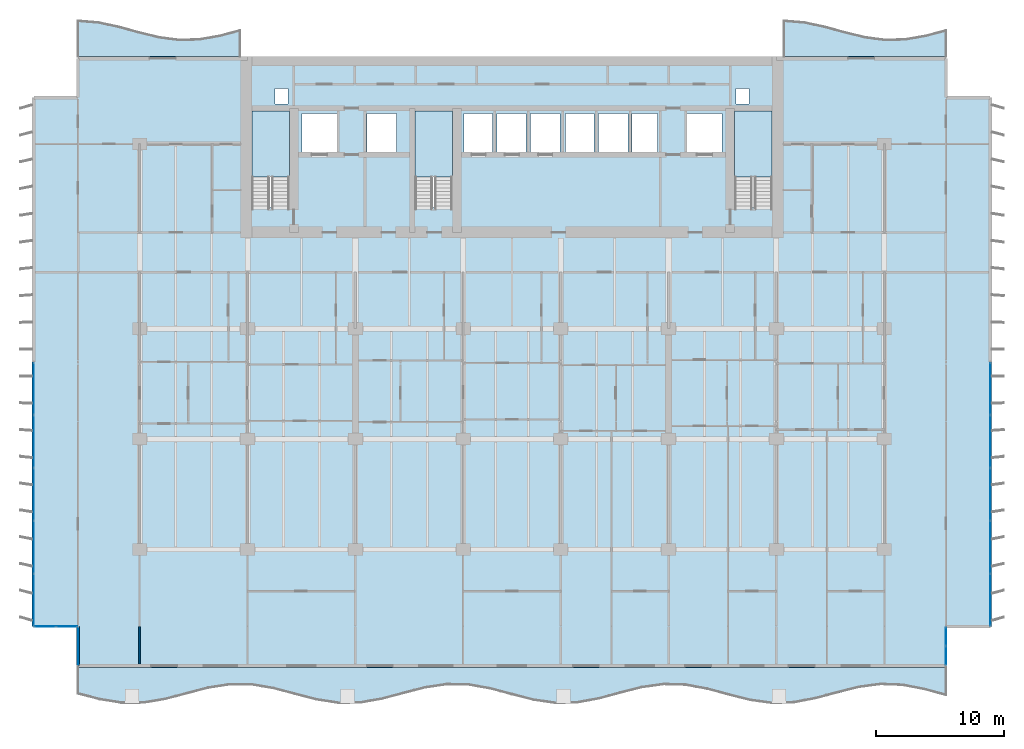
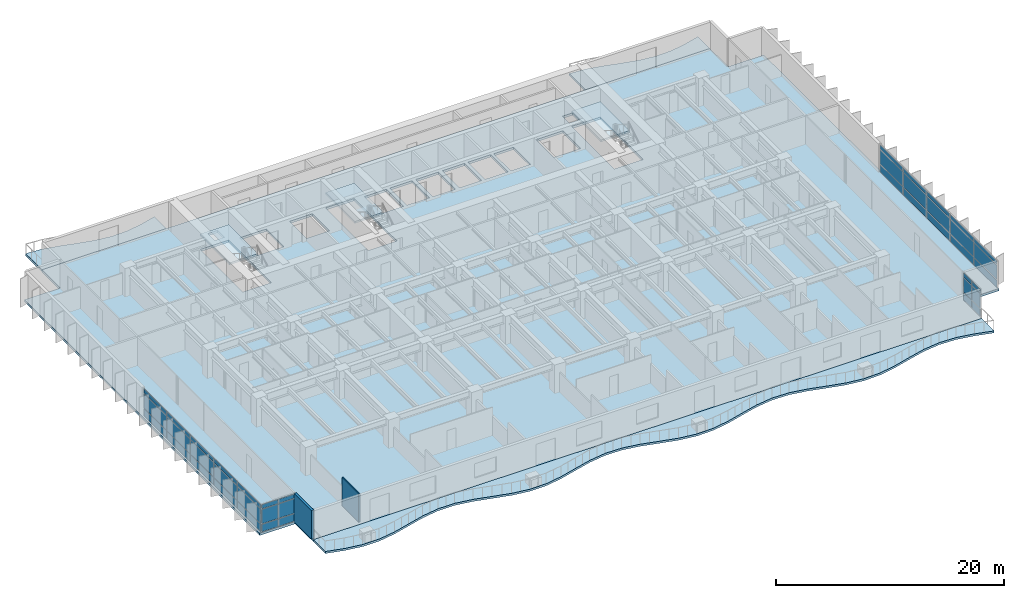
# One storey, part 5 of 17: 42 plates, 7 slabs, 2 walls, 7 elements without a shape of their own.
"""IFC4 building model written with IfcOpenShell, lengths in metres."""

from ifc_helpers import new_model, si_unit, direction, frame, frame_2d, origin, origin_2d, place, context, subcontext, project, spatial, polyline, rectangle, outline, extrude, material, layer, layer_set, type_object, element, aggregate, save


model = new_model("IFC4")

# Units and contexts
model_context = context("Model", 3, precision=1e-05, world=origin(), true_north=direction((0.0, 1.0)))
body_context = subcontext(model_context, "Body", "Model", "MODEL_VIEW")
ifc_project = project(units=[si_unit("LENGTHUNIT", "METRE"), si_unit("AREAUNIT", "SQUARE_METRE"), si_unit("VOLUMEUNIT", "CUBIC_METRE"), si_unit("PLANEANGLEUNIT", "RADIAN"), si_unit("MASSUNIT", "GRAM", prefix="KILO")], contexts=[model_context])

# Site, building, storey
site_placement = place(None, origin())
site = spatial("IfcSite", under=ifc_project, at=site_placement, CompositionType="ELEMENT")
building_placement = place(site_placement, origin())
building = spatial("IfcBuilding", under=site, at=building_placement, Name="Caelmar Bay Residences", CompositionType="ELEMENT")
storey_placement = place(building_placement, frame((0.0, 0.0, 63.0)))
storey = spatial("IfcBuildingStorey", under=building, at=storey_placement, Name="L16", CompositionType="ELEMENT", Elevation=63.0)

# Curtain wall, plates
ifc_material_1 = material(Name="Anodised bronze aluminium 6063-T6 and laminated glass", Category="aluminium")
ifc_layer_1 = layer(ifc_material_1, 0.179931640625)
ifc_layer_set_1 = layer_set([ifc_layer_1], Name="Anodised bronze aluminium 6063-T6 and laminated glass")
curtain_wall_type_1 = type_object("IfcCurtainWallType", Name="CW6-NTC", PredefinedType="NOTDEFINED", material=ifc_layer_set_1)
curtain_wall_1_placement = place(storey_placement, origin())
curtain_wall_1 = element("IfcCurtainWall", 1, at=curtain_wall_1_placement, inside=storey, type_object=curtain_wall_type_1, Name="CW6 curtain wall L16", PredefinedType="NOTDEFINED")
ifc_material_2 = material(Name="Bronze-tinted laminated low-E hurricane glass 28 mm", Category="glass")
ifc_layer_2 = layer(ifc_material_2, 0.028076171875)
ifc_layer_set_2 = layer_set([ifc_layer_2], Name="Bronze-tinted laminated low-E hurricane glass 28 mm")
plate_type = type_object("IfcPlateType", Name="CWP-GLZ28", PredefinedType="CURTAIN_PANEL", material=ifc_layer_set_2)
plate_1_placement = place(storey_placement, frame((2.532470703125, 6.199951171875, 0.080078125), z_axis=(0.0, 0.0, 1.0), x_axis=(1.0, 0.0, 0.0)))
plate_1 = element("IfcPlate", 2, at=plate_1_placement, type_object=plate_type, Name="CW6 panel 1.1", PredefinedType="CURTAIN_PANEL", context=body_context, shape_type="SweptSolid", body=[
    extrude(rectangle(XDim=1.60498046875, YDim=0.028076171875, at=origin_2d()), origin(), (0.0, 0.0, 1.0), 0.780029296875),
])
plate_2_placement = place(storey_placement, frame((2.532470703125, 6.199951171875, 0.93994140625), z_axis=(0.0, 0.0, 1.0), x_axis=(1.0, 0.0, 0.0)))
plate_2 = element("IfcPlate", 3, at=plate_2_placement, type_object=plate_type, Name="CW6 panel 1.2", PredefinedType="CURTAIN_PANEL", context=body_context, shape_type="SweptSolid", body=[
    extrude(rectangle(XDim=1.60498046875, YDim=0.028076171875, at=origin_2d()), origin(), (0.0, 0.0, 1.0), 1.52001953125),
])
plate_3_placement = place(storey_placement, frame((2.532470703125, 6.199951171875, 2.5400390625), z_axis=(0.0, 0.0, 1.0), x_axis=(1.0, 0.0, 0.0)))
plate_3 = element("IfcPlate", 4, at=plate_3_placement, type_object=plate_type, Name="CW6 panel 1.3", PredefinedType="CURTAIN_PANEL", context=body_context, shape_type="SweptSolid", body=[
    extrude(rectangle(XDim=1.60498046875, YDim=0.028076171875, at=origin_2d()), origin(), (0.0, 0.0, 1.0), 0.429931640625),
])
plate_4_placement = place(storey_placement, frame((4.217529296875, 6.199951171875, 0.080078125), z_axis=(0.0, 0.0, 1.0), x_axis=(1.0, 0.0, 0.0)))
plate_4 = element("IfcPlate", 5, at=plate_4_placement, type_object=plate_type, Name="CW6 panel 2.1", PredefinedType="CURTAIN_PANEL", context=body_context, shape_type="SweptSolid", body=[
    extrude(rectangle(XDim=1.60498046875, YDim=0.028076171875, at=origin_2d()), origin(), (0.0, 0.0, 1.0), 0.780029296875),
])
plate_5_placement = place(storey_placement, frame((4.217529296875, 6.199951171875, 0.93994140625), z_axis=(0.0, 0.0, 1.0), x_axis=(1.0, 0.0, 0.0)))
plate_5 = element("IfcPlate", 6, at=plate_5_placement, type_object=plate_type, Name="CW6 panel 2.2", PredefinedType="CURTAIN_PANEL", context=body_context, shape_type="SweptSolid", body=[
    extrude(rectangle(XDim=1.60498046875, YDim=0.028076171875, at=origin_2d()), origin(), (0.0, 0.0, 1.0), 1.52001953125),
])
plate_6_placement = place(storey_placement, frame((4.217529296875, 6.199951171875, 2.5400390625), z_axis=(0.0, 0.0, 1.0), x_axis=(1.0, 0.0, 0.0)))
plate_6 = element("IfcPlate", 7, at=plate_6_placement, type_object=plate_type, Name="CW6 panel 2.3", PredefinedType="CURTAIN_PANEL", context=body_context, shape_type="SweptSolid", body=[
    extrude(rectangle(XDim=1.60498046875, YDim=0.028076171875, at=origin_2d()), origin(), (0.0, 0.0, 1.0), 0.429931640625),
])
aggregate(curtain_wall_1, [plate_1, plate_2, plate_3, plate_4, plate_5, plate_6])

curtain_wall_2_placement = place(storey_placement, origin())
curtain_wall_2 = element("IfcCurtainWall", 8, at=curtain_wall_2_placement, inside=storey, type_object=curtain_wall_type_1, Name="CW6 curtain wall L16", PredefinedType="NOTDEFINED")
plate_7_placement = place(storey_placement, frame((72.699951171875, 3.9326171875, 0.080078125), z_axis=(0.0, 0.0, 1.0), x_axis=(0.0, 1.0, 0.0)))
plate_7 = element("IfcPlate", 9, at=plate_7_placement, type_object=plate_type, Name="CW6 panel 1.1", PredefinedType="CURTAIN_PANEL", context=body_context, shape_type="SweptSolid", body=[
    extrude(rectangle(XDim=1.405029296875, YDim=0.028076171875, at=origin_2d()), origin(), (0.0, 0.0, 1.0), 0.780029296875),
])
plate_8_placement = place(storey_placement, frame((72.699951171875, 3.9326171875, 0.93994140625), z_axis=(0.0, 0.0, 1.0), x_axis=(0.0, 1.0, 0.0)))
plate_8 = element("IfcPlate", 10, at=plate_8_placement, type_object=plate_type, Name="CW6 panel 1.2", PredefinedType="CURTAIN_PANEL", context=body_context, shape_type="SweptSolid", body=[
    extrude(rectangle(XDim=1.405029296875, YDim=0.028076171875, at=origin_2d()), origin(), (0.0, 0.0, 1.0), 1.52001953125),
])
plate_9_placement = place(storey_placement, frame((72.699951171875, 3.9326171875, 2.5400390625), z_axis=(0.0, 0.0, 1.0), x_axis=(0.0, 1.0, 0.0)))
plate_9 = element("IfcPlate", 11, at=plate_9_placement, type_object=plate_type, Name="CW6 panel 1.3", PredefinedType="CURTAIN_PANEL", context=body_context, shape_type="SweptSolid", body=[
    extrude(rectangle(XDim=1.405029296875, YDim=0.028076171875, at=origin_2d()), origin(), (0.0, 0.0, 1.0), 0.429931640625),
])
plate_10_placement = place(storey_placement, frame((72.699951171875, 5.41748046875, 0.080078125), z_axis=(0.0, 0.0, 1.0), x_axis=(0.0, 1.0, 0.0)))
plate_10 = element("IfcPlate", 12, at=plate_10_placement, type_object=plate_type, Name="CW6 panel 2.1", PredefinedType="CURTAIN_PANEL", context=body_context, shape_type="SweptSolid", body=[
    extrude(rectangle(XDim=1.405029296875, YDim=0.028076171875, at=origin_2d()), origin(), (0.0, 0.0, 1.0), 0.780029296875),
])
plate_11_placement = place(storey_placement, frame((72.699951171875, 5.41748046875, 0.93994140625), z_axis=(0.0, 0.0, 1.0), x_axis=(0.0, 1.0, 0.0)))
plate_11 = element("IfcPlate", 13, at=plate_11_placement, type_object=plate_type, Name="CW6 panel 2.2", PredefinedType="CURTAIN_PANEL", context=body_context, shape_type="SweptSolid", body=[
    extrude(rectangle(XDim=1.405029296875, YDim=0.028076171875, at=origin_2d()), origin(), (0.0, 0.0, 1.0), 1.52001953125),
])
plate_12_placement = place(storey_placement, frame((72.699951171875, 5.41748046875, 2.5400390625), z_axis=(0.0, 0.0, 1.0), x_axis=(0.0, 1.0, 0.0)))
plate_12 = element("IfcPlate", 14, at=plate_12_placement, type_object=plate_type, Name="CW6 panel 2.3", PredefinedType="CURTAIN_PANEL", context=body_context, shape_type="SweptSolid", body=[
    extrude(rectangle(XDim=1.405029296875, YDim=0.028076171875, at=origin_2d()), origin(), (0.0, 0.0, 1.0), 0.429931640625),
])
aggregate(curtain_wall_2, [plate_7, plate_8, plate_9, plate_10, plate_11, plate_12])

ifc_layer_3 = layer(ifc_material_1, 0.179931640625)
ifc_layer_set_3 = layer_set([ifc_layer_3], Name="Anodised bronze aluminium 6063-T6 and laminated glass")
curtain_wall_type_2 = type_object("IfcCurtainWallType", Name="CW2-Z1", PredefinedType="NOTDEFINED", material=ifc_layer_set_3)
curtain_wall_3_placement = place(storey_placement, origin())
curtain_wall_3 = element("IfcCurtainWall", 15, at=curtain_wall_3_placement, inside=storey, type_object=curtain_wall_type_2, Name="CW2 curtain wall L16", PredefinedType="NOTDEFINED")
plate_13_placement = place(storey_placement, frame((1.64990234375, 8.280029296875, 0.080078125), z_axis=(0.0, 0.0, 1.0), x_axis=(0.0, 1.0, 0.0)))
plate_13 = element("IfcPlate", 16, at=plate_13_placement, type_object=plate_type, Name="CW2 panel 1.1", PredefinedType="CURTAIN_PANEL", context=body_context, shape_type="SweptSolid", body=[
    extrude(rectangle(XDim=4.0, YDim=0.028076171875, at=origin_2d()), origin(), (0.0, 0.0, 1.0), 0.780029296875),
])
plate_14_placement = place(storey_placement, frame((1.64990234375, 8.280029296875, 0.93994140625), z_axis=(0.0, 0.0, 1.0), x_axis=(0.0, 1.0, 0.0)))
plate_14 = element("IfcPlate", 17, at=plate_14_placement, type_object=plate_type, Name="CW2 panel 1.2", PredefinedType="CURTAIN_PANEL", context=body_context, shape_type="SweptSolid", body=[
    extrude(rectangle(XDim=4.0, YDim=0.028076171875, at=origin_2d()), origin(), (0.0, 0.0, 1.0), 1.52001953125),
])
plate_15_placement = place(storey_placement, frame((1.64990234375, 8.280029296875, 2.5400390625), z_axis=(0.0, 0.0, 1.0), x_axis=(0.0, 1.0, 0.0)))
plate_15 = element("IfcPlate", 18, at=plate_15_placement, type_object=plate_type, Name="CW2 panel 1.3", PredefinedType="CURTAIN_PANEL", context=body_context, shape_type="SweptSolid", body=[
    extrude(rectangle(XDim=4.0, YDim=0.028076171875, at=origin_2d()), origin(), (0.0, 0.0, 1.0), 0.429931640625),
])
plate_16_placement = place(storey_placement, frame((1.64990234375, 12.3798828125, 0.080078125), z_axis=(0.0, 0.0, 1.0), x_axis=(0.0, 1.0, 0.0)))
plate_16 = element("IfcPlate", 19, at=plate_16_placement, type_object=plate_type, Name="CW2 panel 2.1", PredefinedType="CURTAIN_PANEL", context=body_context, shape_type="SweptSolid", body=[
    extrude(rectangle(XDim=4.0400390625, YDim=0.028076171875, at=origin_2d()), origin(), (0.0, 0.0, 1.0), 0.780029296875),
])
plate_17_placement = place(storey_placement, frame((1.64990234375, 12.3798828125, 0.93994140625), z_axis=(0.0, 0.0, 1.0), x_axis=(0.0, 1.0, 0.0)))
plate_17 = element("IfcPlate", 20, at=plate_17_placement, type_object=plate_type, Name="CW2 panel 2.2", PredefinedType="CURTAIN_PANEL", context=body_context, shape_type="SweptSolid", body=[
    extrude(rectangle(XDim=4.0400390625, YDim=0.028076171875, at=origin_2d()), origin(), (0.0, 0.0, 1.0), 1.52001953125),
])
plate_18_placement = place(storey_placement, frame((1.64990234375, 12.3798828125, 2.5400390625), z_axis=(0.0, 0.0, 1.0), x_axis=(0.0, 1.0, 0.0)))
plate_18 = element("IfcPlate", 21, at=plate_18_placement, type_object=plate_type, Name="CW2 panel 2.3", PredefinedType="CURTAIN_PANEL", context=body_context, shape_type="SweptSolid", body=[
    extrude(rectangle(XDim=4.0400390625, YDim=0.028076171875, at=origin_2d()), origin(), (0.0, 0.0, 1.0), 0.429931640625),
])
plate_19_placement = place(storey_placement, frame((1.64990234375, 16.5, 0.080078125), z_axis=(0.0, 0.0, 1.0), x_axis=(0.0, 1.0, 0.0)))
plate_19 = element("IfcPlate", 22, at=plate_19_placement, type_object=plate_type, Name="CW2 panel 3.1", PredefinedType="CURTAIN_PANEL", context=body_context, shape_type="SweptSolid", body=[
    extrude(rectangle(XDim=4.0400390625, YDim=0.028076171875, at=origin_2d()), origin(), (0.0, 0.0, 1.0), 0.780029296875),
])
plate_20_placement = place(storey_placement, frame((1.64990234375, 16.5, 0.93994140625), z_axis=(0.0, 0.0, 1.0), x_axis=(0.0, 1.0, 0.0)))
plate_20 = element("IfcPlate", 23, at=plate_20_placement, type_object=plate_type, Name="CW2 panel 3.2", PredefinedType="CURTAIN_PANEL", context=body_context, shape_type="SweptSolid", body=[
    extrude(rectangle(XDim=4.0400390625, YDim=0.028076171875, at=origin_2d()), origin(), (0.0, 0.0, 1.0), 1.52001953125),
])
plate_21_placement = place(storey_placement, frame((1.64990234375, 16.5, 2.5400390625), z_axis=(0.0, 0.0, 1.0), x_axis=(0.0, 1.0, 0.0)))
plate_21 = element("IfcPlate", 24, at=plate_21_placement, type_object=plate_type, Name="CW2 panel 3.3", PredefinedType="CURTAIN_PANEL", context=body_context, shape_type="SweptSolid", body=[
    extrude(rectangle(XDim=4.0400390625, YDim=0.028076171875, at=origin_2d()), origin(), (0.0, 0.0, 1.0), 0.429931640625),
])
plate_22_placement = place(storey_placement, frame((1.64990234375, 20.6201171875, 0.080078125), z_axis=(0.0, 0.0, 1.0), x_axis=(0.0, 1.0, 0.0)))
plate_22 = element("IfcPlate", 25, at=plate_22_placement, type_object=plate_type, Name="CW2 panel 4.1", PredefinedType="CURTAIN_PANEL", context=body_context, shape_type="SweptSolid", body=[
    extrude(rectangle(XDim=4.0400390625, YDim=0.028076171875, at=origin_2d()), origin(), (0.0, 0.0, 1.0), 0.780029296875),
])
plate_23_placement = place(storey_placement, frame((1.64990234375, 20.6201171875, 0.93994140625), z_axis=(0.0, 0.0, 1.0), x_axis=(0.0, 1.0, 0.0)))
plate_23 = element("IfcPlate", 26, at=plate_23_placement, type_object=plate_type, Name="CW2 panel 4.2", PredefinedType="CURTAIN_PANEL", context=body_context, shape_type="SweptSolid", body=[
    extrude(rectangle(XDim=4.0400390625, YDim=0.028076171875, at=origin_2d()), origin(), (0.0, 0.0, 1.0), 1.52001953125),
])
plate_24_placement = place(storey_placement, frame((1.64990234375, 20.6201171875, 2.5400390625), z_axis=(0.0, 0.0, 1.0), x_axis=(0.0, 1.0, 0.0)))
plate_24 = element("IfcPlate", 27, at=plate_24_placement, type_object=plate_type, Name="CW2 panel 4.3", PredefinedType="CURTAIN_PANEL", context=body_context, shape_type="SweptSolid", body=[
    extrude(rectangle(XDim=4.0400390625, YDim=0.028076171875, at=origin_2d()), origin(), (0.0, 0.0, 1.0), 0.429931640625),
])
plate_25_placement = place(storey_placement, frame((1.64990234375, 24.719970703125, 0.080078125), z_axis=(0.0, 0.0, 1.0), x_axis=(0.0, 1.0, 0.0)))
plate_25 = element("IfcPlate", 28, at=plate_25_placement, type_object=plate_type, Name="CW2 panel 5.1", PredefinedType="CURTAIN_PANEL", context=body_context, shape_type="SweptSolid", body=[
    extrude(rectangle(XDim=4.0, YDim=0.028076171875, at=origin_2d()), origin(), (0.0, 0.0, 1.0), 0.780029296875),
])
plate_26_placement = place(storey_placement, frame((1.64990234375, 24.719970703125, 0.93994140625), z_axis=(0.0, 0.0, 1.0), x_axis=(0.0, 1.0, 0.0)))
plate_26 = element("IfcPlate", 29, at=plate_26_placement, type_object=plate_type, Name="CW2 panel 5.2", PredefinedType="CURTAIN_PANEL", context=body_context, shape_type="SweptSolid", body=[
    extrude(rectangle(XDim=4.0, YDim=0.028076171875, at=origin_2d()), origin(), (0.0, 0.0, 1.0), 1.52001953125),
])
plate_27_placement = place(storey_placement, frame((1.64990234375, 24.719970703125, 2.5400390625), z_axis=(0.0, 0.0, 1.0), x_axis=(0.0, 1.0, 0.0)))
plate_27 = element("IfcPlate", 30, at=plate_27_placement, type_object=plate_type, Name="CW2 panel 5.3", PredefinedType="CURTAIN_PANEL", context=body_context, shape_type="SweptSolid", body=[
    extrude(rectangle(XDim=4.0, YDim=0.028076171875, at=origin_2d()), origin(), (0.0, 0.0, 1.0), 0.429931640625),
])
aggregate(curtain_wall_3, [plate_13, plate_14, plate_15, plate_16, plate_17, plate_18, plate_19, plate_20, plate_21, plate_22, plate_23, plate_24, plate_25, plate_26, plate_27])

curtain_wall_4_placement = place(storey_placement, origin())
curtain_wall_4 = element("IfcCurtainWall", 31, at=curtain_wall_4_placement, inside=storey, type_object=curtain_wall_type_2, Name="CW2 curtain wall L16", PredefinedType="NOTDEFINED")
plate_28_placement = place(storey_placement, frame((76.14990234375, 24.719970703125, 0.080078125), z_axis=(0.0, 0.0, 1.0), x_axis=(0.0, -1.0, 0.0)))
plate_28 = element("IfcPlate", 32, at=plate_28_placement, type_object=plate_type, Name="CW2 panel 1.1", PredefinedType="CURTAIN_PANEL", context=body_context, shape_type="SweptSolid", body=[
    extrude(rectangle(XDim=4.0, YDim=0.028076171875, at=origin_2d()), origin(), (0.0, 0.0, 1.0), 0.780029296875),
])
plate_29_placement = place(storey_placement, frame((76.14990234375, 24.719970703125, 0.93994140625), z_axis=(0.0, 0.0, 1.0), x_axis=(0.0, -1.0, 0.0)))
plate_29 = element("IfcPlate", 33, at=plate_29_placement, type_object=plate_type, Name="CW2 panel 1.2", PredefinedType="CURTAIN_PANEL", context=body_context, shape_type="SweptSolid", body=[
    extrude(rectangle(XDim=4.0, YDim=0.028076171875, at=origin_2d()), origin(), (0.0, 0.0, 1.0), 1.52001953125),
])
plate_30_placement = place(storey_placement, frame((76.14990234375, 24.719970703125, 2.5400390625), z_axis=(0.0, 0.0, 1.0), x_axis=(0.0, -1.0, 0.0)))
plate_30 = element("IfcPlate", 34, at=plate_30_placement, type_object=plate_type, Name="CW2 panel 1.3", PredefinedType="CURTAIN_PANEL", context=body_context, shape_type="SweptSolid", body=[
    extrude(rectangle(XDim=4.0, YDim=0.028076171875, at=origin_2d()), origin(), (0.0, 0.0, 1.0), 0.429931640625),
])
plate_31_placement = place(storey_placement, frame((76.14990234375, 20.6201171875, 0.080078125), z_axis=(0.0, 0.0, 1.0), x_axis=(0.0, -1.0, 0.0)))
plate_31 = element("IfcPlate", 35, at=plate_31_placement, type_object=plate_type, Name="CW2 panel 2.1", PredefinedType="CURTAIN_PANEL", context=body_context, shape_type="SweptSolid", body=[
    extrude(rectangle(XDim=4.0400390625, YDim=0.028076171875, at=origin_2d()), origin(), (0.0, 0.0, 1.0), 0.780029296875),
])
plate_32_placement = place(storey_placement, frame((76.14990234375, 20.6201171875, 0.93994140625), z_axis=(0.0, 0.0, 1.0), x_axis=(0.0, -1.0, 0.0)))
plate_32 = element("IfcPlate", 36, at=plate_32_placement, type_object=plate_type, Name="CW2 panel 2.2", PredefinedType="CURTAIN_PANEL", context=body_context, shape_type="SweptSolid", body=[
    extrude(rectangle(XDim=4.0400390625, YDim=0.028076171875, at=origin_2d()), origin(), (0.0, 0.0, 1.0), 1.52001953125),
])
plate_33_placement = place(storey_placement, frame((76.14990234375, 20.6201171875, 2.5400390625), z_axis=(0.0, 0.0, 1.0), x_axis=(0.0, -1.0, 0.0)))
plate_33 = element("IfcPlate", 37, at=plate_33_placement, type_object=plate_type, Name="CW2 panel 2.3", PredefinedType="CURTAIN_PANEL", context=body_context, shape_type="SweptSolid", body=[
    extrude(rectangle(XDim=4.0400390625, YDim=0.028076171875, at=origin_2d()), origin(), (0.0, 0.0, 1.0), 0.429931640625),
])
plate_34_placement = place(storey_placement, frame((76.14990234375, 16.5, 0.080078125), z_axis=(0.0, 0.0, 1.0), x_axis=(0.0, -1.0, 0.0)))
plate_34 = element("IfcPlate", 38, at=plate_34_placement, type_object=plate_type, Name="CW2 panel 3.1", PredefinedType="CURTAIN_PANEL", context=body_context, shape_type="SweptSolid", body=[
    extrude(rectangle(XDim=4.0400390625, YDim=0.028076171875, at=origin_2d()), origin(), (0.0, 0.0, 1.0), 0.780029296875),
])
plate_35_placement = place(storey_placement, frame((76.14990234375, 16.5, 0.93994140625), z_axis=(0.0, 0.0, 1.0), x_axis=(0.0, -1.0, 0.0)))
plate_35 = element("IfcPlate", 39, at=plate_35_placement, type_object=plate_type, Name="CW2 panel 3.2", PredefinedType="CURTAIN_PANEL", context=body_context, shape_type="SweptSolid", body=[
    extrude(rectangle(XDim=4.0400390625, YDim=0.028076171875, at=origin_2d()), origin(), (0.0, 0.0, 1.0), 1.52001953125),
])
plate_36_placement = place(storey_placement, frame((76.14990234375, 16.5, 2.5400390625), z_axis=(0.0, 0.0, 1.0), x_axis=(0.0, -1.0, 0.0)))
plate_36 = element("IfcPlate", 40, at=plate_36_placement, type_object=plate_type, Name="CW2 panel 3.3", PredefinedType="CURTAIN_PANEL", context=body_context, shape_type="SweptSolid", body=[
    extrude(rectangle(XDim=4.0400390625, YDim=0.028076171875, at=origin_2d()), origin(), (0.0, 0.0, 1.0), 0.429931640625),
])
plate_37_placement = place(storey_placement, frame((76.14990234375, 12.3798828125, 0.080078125), z_axis=(0.0, 0.0, 1.0), x_axis=(0.0, -1.0, 0.0)))
plate_37 = element("IfcPlate", 41, at=plate_37_placement, type_object=plate_type, Name="CW2 panel 4.1", PredefinedType="CURTAIN_PANEL", context=body_context, shape_type="SweptSolid", body=[
    extrude(rectangle(XDim=4.0400390625, YDim=0.028076171875, at=origin_2d()), origin(), (0.0, 0.0, 1.0), 0.780029296875),
])
plate_38_placement = place(storey_placement, frame((76.14990234375, 12.3798828125, 0.93994140625), z_axis=(0.0, 0.0, 1.0), x_axis=(0.0, -1.0, 0.0)))
plate_38 = element("IfcPlate", 42, at=plate_38_placement, type_object=plate_type, Name="CW2 panel 4.2", PredefinedType="CURTAIN_PANEL", context=body_context, shape_type="SweptSolid", body=[
    extrude(rectangle(XDim=4.0400390625, YDim=0.028076171875, at=origin_2d()), origin(), (0.0, 0.0, 1.0), 1.52001953125),
])
plate_39_placement = place(storey_placement, frame((76.14990234375, 12.3798828125, 2.5400390625), z_axis=(0.0, 0.0, 1.0), x_axis=(0.0, -1.0, 0.0)))
plate_39 = element("IfcPlate", 43, at=plate_39_placement, type_object=plate_type, Name="CW2 panel 4.3", PredefinedType="CURTAIN_PANEL", context=body_context, shape_type="SweptSolid", body=[
    extrude(rectangle(XDim=4.0400390625, YDim=0.028076171875, at=origin_2d()), origin(), (0.0, 0.0, 1.0), 0.429931640625),
])
plate_40_placement = place(storey_placement, frame((76.14990234375, 8.280029296875, 0.080078125), z_axis=(0.0, 0.0, 1.0), x_axis=(0.0, -1.0, 0.0)))
plate_40 = element("IfcPlate", 44, at=plate_40_placement, type_object=plate_type, Name="CW2 panel 5.1", PredefinedType="CURTAIN_PANEL", context=body_context, shape_type="SweptSolid", body=[
    extrude(rectangle(XDim=4.0, YDim=0.028076171875, at=origin_2d()), origin(), (0.0, 0.0, 1.0), 0.780029296875),
])
plate_41_placement = place(storey_placement, frame((76.14990234375, 8.280029296875, 0.93994140625), z_axis=(0.0, 0.0, 1.0), x_axis=(0.0, -1.0, 0.0)))
plate_41 = element("IfcPlate", 45, at=plate_41_placement, type_object=plate_type, Name="CW2 panel 5.2", PredefinedType="CURTAIN_PANEL", context=body_context, shape_type="SweptSolid", body=[
    extrude(rectangle(XDim=4.0, YDim=0.028076171875, at=origin_2d()), origin(), (0.0, 0.0, 1.0), 1.52001953125),
])
plate_42_placement = place(storey_placement, frame((76.14990234375, 8.280029296875, 2.5400390625), z_axis=(0.0, 0.0, 1.0), x_axis=(0.0, -1.0, 0.0)))
plate_42 = element("IfcPlate", 46, at=plate_42_placement, type_object=plate_type, Name="CW2 panel 5.3", PredefinedType="CURTAIN_PANEL", context=body_context, shape_type="SweptSolid", body=[
    extrude(rectangle(XDim=4.0, YDim=0.028076171875, at=origin_2d()), origin(), (0.0, 0.0, 1.0), 0.429931640625),
])
aggregate(curtain_wall_4, [plate_28, plate_29, plate_30, plate_31, plate_32, plate_33, plate_34, plate_35, plate_36, plate_37, plate_38, plate_39, plate_40, plate_41, plate_42])

# Slabs
ifc_material_3 = material(Name="Concrete f'c 40 MPa (6,000 psi)", Category="concrete")
ifc_layer_4 = layer(ifc_material_3, 0.219970703125)
ifc_layer_set_4 = layer_set([ifc_layer_4], Name="Concrete f'c 40 MPa (6,000 psi)")
slab_type_1 = type_object("IfcSlabType", Name="SLB-BAL-220", PredefinedType="FLOOR", material=ifc_layer_set_4)
slab_1_placement = place(storey_placement, frame((0.0, 0.0, -0.219970703125)))
element("IfcSlab", 47, at=slab_1_placement, inside=storey, type_object=slab_type_1, Name="L16 Sinusoidal Tree-Balcony Slab south", PredefinedType="FLOOR", context=body_context, shape_type="SweptSolid", body=[
    extrude(outline(polyline([(5.10009765625, 0.89990234375), (6.7900390625, 0.456787109375), (8.47998046875, 0.18505859375), (10.169921875, 0.189453125), (11.860107421875, 0.46826171875), (13.550048828125, 0.9140625), (15.239990234375, 1.354248046875), (16.929931640625, 1.619140625), (18.6201171875, 1.60595703125), (20.31005859375, 1.3203125), (22.0, 0.8720703125), (23.68994140625, 0.4345703125), (25.3798828125, 0.177001953125), (27.070068359375, 0.19873046875), (28.760009765625, 0.491455078125), (30.449951171875, 0.942138671875), (32.139892578125, 1.376220703125), (33.830078125, 1.626708984375), (35.52001953125, 1.59619140625), (37.2099609375, 1.296630859375), (38.89990234375, 0.843994140625), (40.590087890625, 0.412841796875), (42.280029296875, 0.170166015625), (43.969970703125, 0.209228515625), (45.659912109375, 0.515380859375), (47.35009765625, 0.969970703125), (49.0400390625, 1.397705078125), (50.72998046875, 1.633056640625), (52.419921875, 1.585205078125), (54.110107421875, 1.272705078125), (55.800048828125, 0.81591796875), (57.489990234375, 0.391845703125), (59.179931640625, 0.1640625), (60.8701171875, 0.220703125), (62.56005859375, 0.539794921875), (64.25, 0.997802734375), (65.93994140625, 1.418212890625), (67.6298828125, 1.638427734375), (69.320068359375, 1.5732421875), (71.010009765625, 1.248046875), (72.699951171875, 0.7880859375), (72.699951171875, 3.0), (5.10009765625, 3.0), (5.10009765625, 0.89990234375)])), origin(), (0.0, 0.0, 1.0), 0.219970703125),
])
slab_2_placement = place(storey_placement, frame((0.0, 0.0, -0.219970703125)))
element("IfcSlab", 48, at=slab_2_placement, inside=storey, type_object=slab_type_1, Name="L16 Sinusoidal Tree-Balcony Slab north_west", PredefinedType="FLOOR", context=body_context, shape_type="SweptSolid", body=[
    extrude(outline(polyline([(5.10009765625, 50.60009765625), (17.699951171875, 50.60009765625), (17.699951171875, 52.699951171875), (16.125, 52.283203125), (14.550048828125, 52.007080078125), (12.97509765625, 51.96435546875), (11.39990234375, 52.169677734375), (9.824951171875, 52.5537109375), (8.25, 52.987060546875), (6.675048828125, 53.323486328125), (5.10009765625, 53.449951171875), (5.10009765625, 50.60009765625)])), origin(), (0.0, 0.0, 1.0), 0.219970703125),
])
slab_3_placement = place(storey_placement, frame((0.0, 0.0, -0.219970703125)))
element("IfcSlab", 49, at=slab_3_placement, inside=storey, type_object=slab_type_1, Name="L16 Sinusoidal Tree-Balcony Slab north_east", PredefinedType="FLOOR", context=body_context, shape_type="SweptSolid", body=[
    extrude(outline(polyline([(60.10009765625, 50.60009765625), (72.699951171875, 50.60009765625), (72.699951171875, 52.699951171875), (71.125, 52.283203125), (69.550048828125, 52.007080078125), (67.97509765625, 51.96435546875), (66.39990234375, 52.169677734375), (64.824951171875, 52.5537109375), (63.25, 52.987060546875), (61.675048828125, 53.323486328125), (60.10009765625, 53.449951171875), (60.10009765625, 50.60009765625)])), origin(), (0.0, 0.0, 1.0), 0.219970703125),
])

# Stair, slab
stair_type = type_object("IfcStairType", Name="ST-TYP-165", PredefinedType="HALF_TURN_STAIR", material=ifc_material_3)
stair_1_placement = place(storey_placement, origin())
stair_1 = element("IfcStair", 50, at=stair_1_placement, inside=storey, type_object=stair_type, Name="L16 West Smokeproof Exit Stair ST1", PredefinedType="HALF_TURN_STAIR")
ifc_layer_5 = layer(ifc_material_3, 0.199951171875)
ifc_layer_set_5 = layer_set([ifc_layer_5], Name="Concrete f'c 40 MPa (6,000 psi)")
slab_type_2 = type_object("IfcSlabType", Name="SLB-LND-200", PredefinedType="LANDING", material=ifc_layer_set_5)
slab_4_placement = place(storey_placement, frame((0.0, 0.0, 1.449951171875)))
slab_4 = element("IfcSlab", 51, at=slab_4_placement, type_object=slab_type_2, Name="ST1 landing 1", PredefinedType="LANDING", context=body_context, shape_type="SweptSolid", body=[
    extrude(outline(polyline([(21.550048828125, 41.219970703125), (21.550048828125, 46.35009765625), (18.64990234375, 46.35009765625), (18.64990234375, 41.219970703125), (21.550048828125, 41.219970703125)])), origin(), (0.0, 0.0, 1.0), 0.199951171875),
])
aggregate(stair_1, [slab_4])

stair_2_placement = place(storey_placement, origin())
stair_2 = element("IfcStair", 52, at=stair_2_placement, inside=storey, type_object=stair_type, Name="L16 East Smokeproof Exit Stair ST2", PredefinedType="HALF_TURN_STAIR")
slab_5_placement = place(storey_placement, frame((0.0, 0.0, 1.449951171875)))
slab_5 = element("IfcSlab", 53, at=slab_5_placement, type_object=slab_type_2, Name="ST2 landing 1", PredefinedType="LANDING", context=body_context, shape_type="SweptSolid", body=[
    extrude(outline(polyline([(59.14990234375, 41.219970703125), (59.14990234375, 46.35009765625), (56.25, 46.35009765625), (56.25, 41.219970703125), (59.14990234375, 41.219970703125)])), origin(), (0.0, 0.0, 1.0), 0.199951171875),
])
aggregate(stair_2, [slab_5])

stair_3_placement = place(storey_placement, origin())
stair_3 = element("IfcStair", 54, at=stair_3_placement, inside=storey, type_object=stair_type, Name="L16 Central Smokeproof Exit Stair ST3", PredefinedType="HALF_TURN_STAIR")
slab_6_placement = place(storey_placement, frame((0.0, 0.0, 1.449951171875)))
slab_6 = element("IfcSlab", 55, at=slab_6_placement, type_object=slab_type_2, Name="ST3 landing 1", PredefinedType="LANDING", context=body_context, shape_type="SweptSolid", body=[
    extrude(outline(polyline([(34.25, 41.219970703125), (34.25, 46.35009765625), (31.35009765625, 46.35009765625), (31.35009765625, 41.219970703125), (34.25, 41.219970703125)])), origin(), (0.0, 0.0, 1.0), 0.199951171875),
])
aggregate(stair_3, [slab_6])

# Slab
ifc_layer_6 = layer(ifc_material_3, 0.25)
ifc_layer_set_6 = layer_set([ifc_layer_6], Name="Concrete f'c 40 MPa (6,000 psi)")
slab_type_3 = type_object("IfcSlabType", Name="SLB-RES-250", PredefinedType="FLOOR", material=ifc_layer_set_6)
slab_7_placement = place(storey_placement, frame((0.0, 0.0, -0.25)))
element("IfcSlab", 56, at=slab_7_placement, inside=storey, type_object=slab_type_3, Name="L16 Structural Floor Slab", PredefinedType="FLOOR", context=body_context, shape_type="SweptSolid", body=[
    extrude(outline(polyline([(5.10009765625, 3.0), (72.699951171875, 3.0), (72.699951171875, 6.199951171875), (76.300048828125, 6.199951171875), (76.300048828125, 47.39990234375), (72.699951171875, 47.39990234375), (72.699951171875, 50.60009765625), (5.10009765625, 50.60009765625), (5.10009765625, 47.39990234375), (1.5, 47.39990234375), (1.5, 6.199951171875), (5.10009765625, 6.199951171875), (5.10009765625, 3.0)]), holes=[polyline([(18.64990234375, 38.85009765625), (21.550048828125, 38.85009765625), (21.550048828125, 46.35009765625), (18.64990234375, 46.35009765625), (18.64990234375, 38.85009765625)]), polyline([(56.25, 38.85009765625), (59.14990234375, 38.85009765625), (59.14990234375, 46.35009765625), (56.25, 46.35009765625), (56.25, 38.85009765625)]), polyline([(31.35009765625, 38.85009765625), (34.25, 38.85009765625), (34.25, 46.35009765625), (31.35009765625, 46.35009765625), (31.35009765625, 38.85009765625)]), polyline([(22.550048828125, 43.050048828125), (25.25, 43.050048828125), (25.25, 46.14990234375), (22.550048828125, 46.14990234375), (22.550048828125, 43.050048828125)]), polyline([(52.550048828125, 43.050048828125), (55.25, 43.050048828125), (55.25, 46.14990234375), (52.550048828125, 46.14990234375), (52.550048828125, 43.050048828125)]), polyline([(35.14990234375, 43.14990234375), (37.39990234375, 43.14990234375), (37.39990234375, 46.14990234375), (35.14990234375, 46.14990234375), (35.14990234375, 43.14990234375)]), polyline([(37.75, 43.14990234375), (40.0, 43.14990234375), (40.0, 46.14990234375), (37.75, 46.14990234375), (37.75, 43.14990234375)]), polyline([(40.35009765625, 43.14990234375), (42.64990234375, 43.14990234375), (42.64990234375, 46.14990234375), (40.35009765625, 46.14990234375), (40.35009765625, 43.14990234375)]), polyline([(43.050048828125, 43.14990234375), (45.300048828125, 43.14990234375), (45.300048828125, 46.14990234375), (43.050048828125, 46.14990234375), (43.050048828125, 43.14990234375)]), polyline([(45.64990234375, 43.14990234375), (47.949951171875, 43.14990234375), (47.949951171875, 46.14990234375), (45.64990234375, 46.14990234375), (45.64990234375, 43.14990234375)]), polyline([(48.25, 43.14990234375), (50.25, 43.14990234375), (50.25, 46.14990234375), (48.25, 46.14990234375), (48.25, 43.14990234375)]), polyline([(27.60009765625, 43.14990234375), (29.89990234375, 43.14990234375), (29.89990234375, 46.14990234375), (27.60009765625, 46.14990234375), (27.60009765625, 43.14990234375)]), polyline([(20.449951171875, 46.89990234375), (21.449951171875, 46.89990234375), (21.449951171875, 48.10009765625), (20.449951171875, 48.10009765625), (20.449951171875, 46.89990234375)]), polyline([(56.35009765625, 46.89990234375), (57.35009765625, 46.89990234375), (57.35009765625, 48.10009765625), (56.35009765625, 48.10009765625), (56.35009765625, 46.89990234375)])]), origin(), (0.0, 0.0, 1.0), 0.25),
])

# Walls
ifc_material_4 = material(Name="Precast concrete f'c 40 MPa (6,000 psi)", Category="concrete")
ifc_layer_7 = layer(ifc_material_4, 0.25)
ifc_layer_set_7 = layer_set([ifc_layer_7], Name="Precast concrete f'c 40 MPa (6,000 psi)")
wall_type_1 = type_object("IfcWallType", Name="W-EXT-250", PredefinedType="ELEMENTEDWALL", material=ifc_layer_set_7)
wall_1_placement = place(storey_placement, frame((5.10009765625, 6.199951171875, 0.0), z_axis=(0.0, 0.0, 1.0), x_axis=(0.0, -1.0, 0.0)))
element("IfcWall", 57, at=wall_1_placement, inside=storey, type_object=wall_type_1, Name="L16 SW Notch Return Wall", PredefinedType="ELEMENTEDWALL", context=body_context, shape_type="SweptSolid", body=[
    extrude(rectangle(XDim=3.050048828125, YDim=0.25, at=frame_2d((1.52490234375, 0.0))), origin(), (0.0, 0.0, 1.0), 3.050048828125),
])
ifc_material_5 = material(Name="Acoustic metal-stud gypsum partition 120 mm")
ifc_layer_8 = layer(ifc_material_5, 0.1201171875)
ifc_layer_set_8 = layer_set([ifc_layer_8], Name="Acoustic metal-stud gypsum partition 120 mm")
wall_type_2 = type_object("IfcWallType", Name="W-PRT-120", PredefinedType="PARTITIONING", material=ifc_layer_set_8)
wall_2_placement = place(storey_placement, frame((9.89990234375, 3.294921875, 0.0), z_axis=(0.0, 0.0, 1.0), x_axis=(0.0, 1.0, 0.0)))
element("IfcWall", 58, at=wall_2_placement, inside=storey, type_object=wall_type_2, Name="L16 Partition Wall V007", PredefinedType="PARTITIONING", context=body_context, shape_type="SweptSolid", body=[
    extrude(rectangle(XDim=2.905029296875, YDim=0.1201171875, at=frame_2d((1.45263671875, 0.0))), origin(), (0.0, 0.0, 1.0), 3.050048828125),
])

save(model, "model.ifc")
